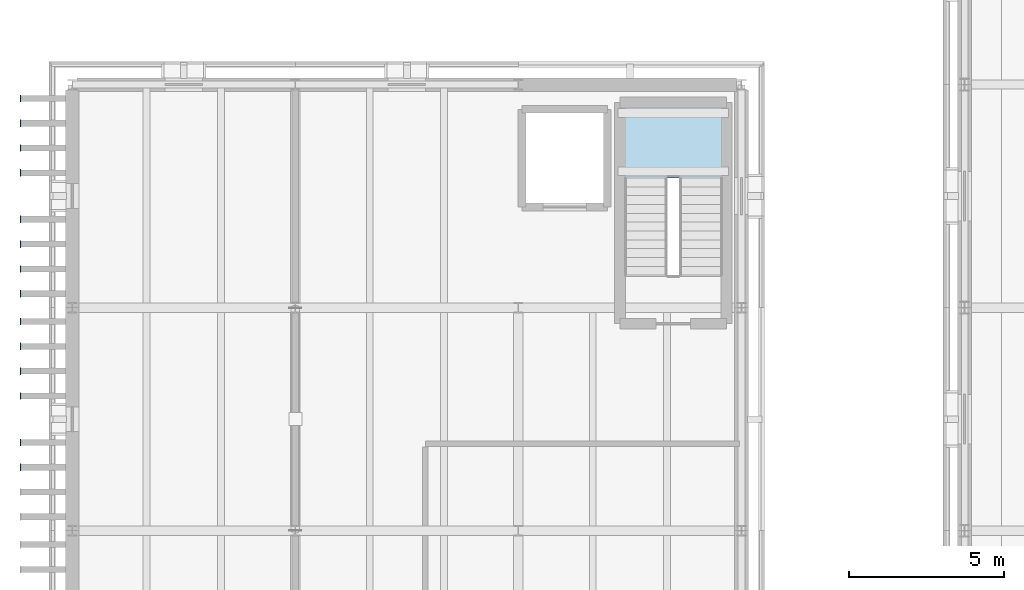
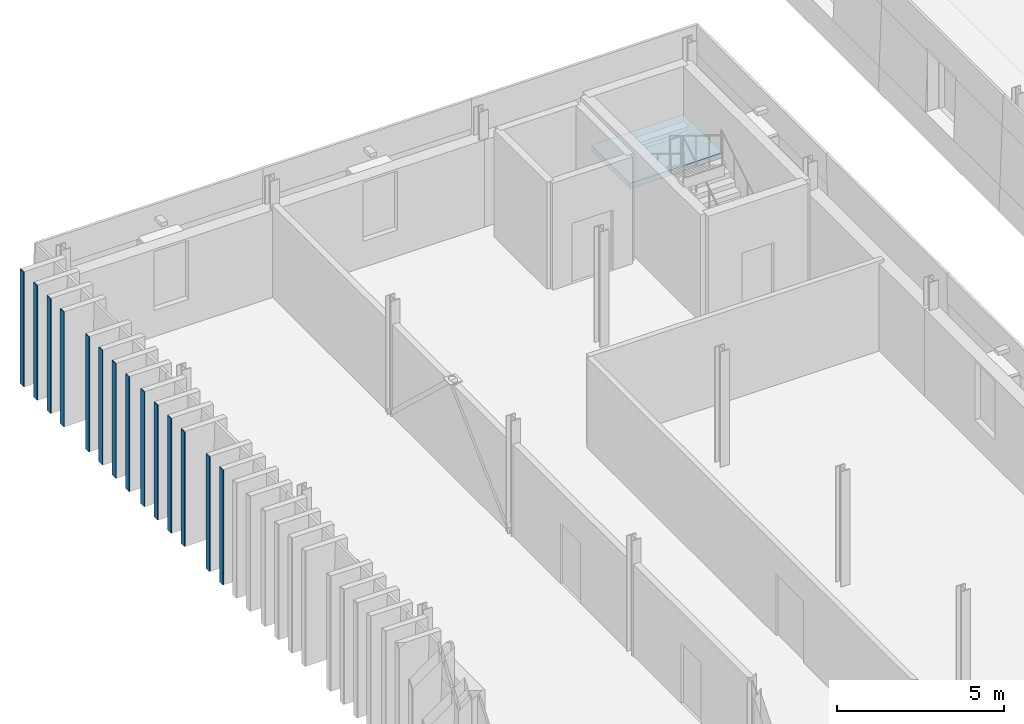
# One storey, part 56 of 115: 14 plates, 1 slab, 1 element without a shape of its own.
"""IFC4 building model written with IfcOpenShell, lengths in metres."""

from ifc_helpers import new_model, si_unit, direction, frame, origin, origin_2d, place, context, subcontext, project, spatial, polyline, rectangle, outline, extrude, material, layer, layer_set, type_object, element, aggregate, save


model = new_model("IFC4")

# Units and contexts
model_context = context("Model", 3, precision=1e-05, world=origin(), true_north=direction((0.0, 1.0)))
body_context = subcontext(model_context, "Body", "Model", "MODEL_VIEW")
ifc_project = project(units=[si_unit("LENGTHUNIT", "METRE"), si_unit("AREAUNIT", "SQUARE_METRE"), si_unit("VOLUMEUNIT", "CUBIC_METRE"), si_unit("PLANEANGLEUNIT", "RADIAN"), si_unit("MASSUNIT", "GRAM", prefix="KILO")], contexts=[model_context])

# Site, building, storey
site_placement = place(None, origin())
site = spatial("IfcSite", under=ifc_project, at=site_placement, CompositionType="ELEMENT")
building_placement = place(site_placement, origin())
building = spatial("IfcBuilding", under=site, at=building_placement, Name="Narikvali Park Central Library", CompositionType="ELEMENT")
storey_placement = place(building_placement, frame((0.0, 0.0, 10.199951171875)))
storey = spatial("IfcBuildingStorey", under=building, at=storey_placement, Name="L02", CompositionType="ELEMENT", Elevation=10.199951171875)

# Stair, slab
ifc_material_1 = material(Name="Concrete C35/45", Category="concrete")
stair_type = type_object("IfcStairType", Name="Core Enclosed Two-Flight Exit Stair", PredefinedType="HALF_TURN_STAIR", material=ifc_material_1)
stair_placement = place(storey_placement, origin())
stair = element("IfcStair", 1, at=stair_placement, inside=storey, type_object=stair_type, Name="L02 Exit Stair ST-10", PredefinedType="HALF_TURN_STAIR")
ifc_layer_1 = layer(ifc_material_1, 0.199951171875, Name="Concrete C35/45")
ifc_layer_set_1 = layer_set([ifc_layer_1], Name="Concrete C35/45")
slab_type = type_object("IfcSlabType", Name="Stair Half-Landing Concrete Slab 200", PredefinedType="LANDING", material=ifc_layer_set_1)
slab_placement = place(storey_placement, frame((0.0, 0.0, 1.900146484375)))
slab = element("IfcSlab", 2, at=slab_placement, type_object=slab_type, Name="ST-10 landing 1", PredefinedType="LANDING", context=body_context, shape_type="SweptSolid", body=[
    extrude(outline(polyline([(21.0, 104.985107421875), (21.0, 107.300048828125), (17.800048828125, 107.300048828125), (17.800048828125, 104.985107421875), (21.0, 104.985107421875)])), origin(), (0.0, 0.0, 1.0), 0.199951171875),
])
aggregate(stair, [slab])

# Plates
ifc_material_2 = material(Name="Anodised Bronze Aluminium", Category="aluminium")
ifc_layer_2 = layer(ifc_material_2, 0.028076171875, Name="Anodised Bronze Aluminium")
ifc_layer_set_2 = layer_set([ifc_layer_2], Name="Anodised Bronze Aluminium")
plate_type = type_object("IfcPlateType", Name="Vertical Brick Fin Bronze Bullnose Cap 28", PredefinedType="SHEET", material=ifc_layer_set_2)
for number, where, z_axis, x_axis, name in (
    (3, (-1.672119140625, 95.64990234375, 0.01025390625), (0.0, 0.0, 1.0), (1.0, 0.0, 0.0), "West Stacks Fin Bullnose Trim 423"),
    (4, (-1.672119140625, 96.449951171875, 0.01025390625), (0.0, 0.0, 1.0), (1.0, 0.0, 0.0), "West Stacks Fin Bullnose Trim 429"),
    (5, (-1.672119140625, 97.949951171875, 0.01025390625), (0.0, 0.0, 1.0), (1.0, 0.0, 0.0), "West Stacks Fin Bullnose Trim 435"),
    (6, (-1.672119140625, 98.75, 0.01025390625), (0.0, 0.0, 1.0), (1.0, 0.0, 0.0), "West Stacks Fin Bullnose Trim 441"),
    (7, (-1.672119140625, 99.550048828125, 0.01025390625), (0.0, 0.0, 1.0), (1.0, 0.0, 0.0), "West Stacks Fin Bullnose Trim 447"),
    (8, (-1.672119140625, 100.35009765625, 0.01025390625), (0.0, 0.0, 1.0), (1.0, 0.0, 0.0), "West Stacks Fin Bullnose Trim 453"),
    (9, (-1.672119140625, 101.25, 0.01025390625), (0.0, 0.0, 1.0), (1.0, 0.0, 0.0), "West Stacks Fin Bullnose Trim 459"),
    (10, (-1.672119140625, 102.050048828125, 0.01025390625), (0.0, 0.0, 1.0), (1.0, 0.0, 0.0), "West Stacks Fin Bullnose Trim 465"),
    (11, (-1.672119140625, 102.85009765625, 0.01025390625), (0.0, 0.0, 1.0), (1.0, 0.0, 0.0), "West Stacks Fin Bullnose Trim 471"),
    (12, (-1.672119140625, 103.64990234375, 0.01025390625), (0.0, 0.0, 1.0), (1.0, 0.0, 0.0), "West Stacks Fin Bullnose Trim 477"),
    (13, (-1.672119140625, 105.14990234375, 0.01025390625), (0.0, 0.0, 1.0), (1.0, 0.0, 0.0), "West Stacks Fin Bullnose Trim 483"),
    (14, (-1.672119140625, 105.949951171875, 0.01025390625), (0.0, 0.0, 1.0), (1.0, 0.0, 0.0), "West Stacks Fin Bullnose Trim 489"),
    (15, (-1.672119140625, 106.75, 0.01025390625), (0.0, 0.0, 1.0), (1.0, 0.0, 0.0), "West Stacks Fin Bullnose Trim 495"),
    (16, (-1.672119140625, 107.550048828125, 0.01025390625), (0.0, 0.0, 1.0), (1.0, 0.0, 0.0), "West Stacks Fin Bullnose Trim 501"),
):
    element("IfcPlate", number, at=place(storey_placement, frame(where, z_axis=z_axis, x_axis=x_axis)), inside=storey, type_object=plate_type, Name=name, PredefinedType="SHEET", context=body_context, shape_type="SweptSolid", body=[
        extrude(rectangle(XDim=0.028076171875, YDim=0.219970703125, at=origin_2d()), origin(), (0.0, 0.0, 1.0), 4.179931640625),
    ])

save(model, "model.ifc")
